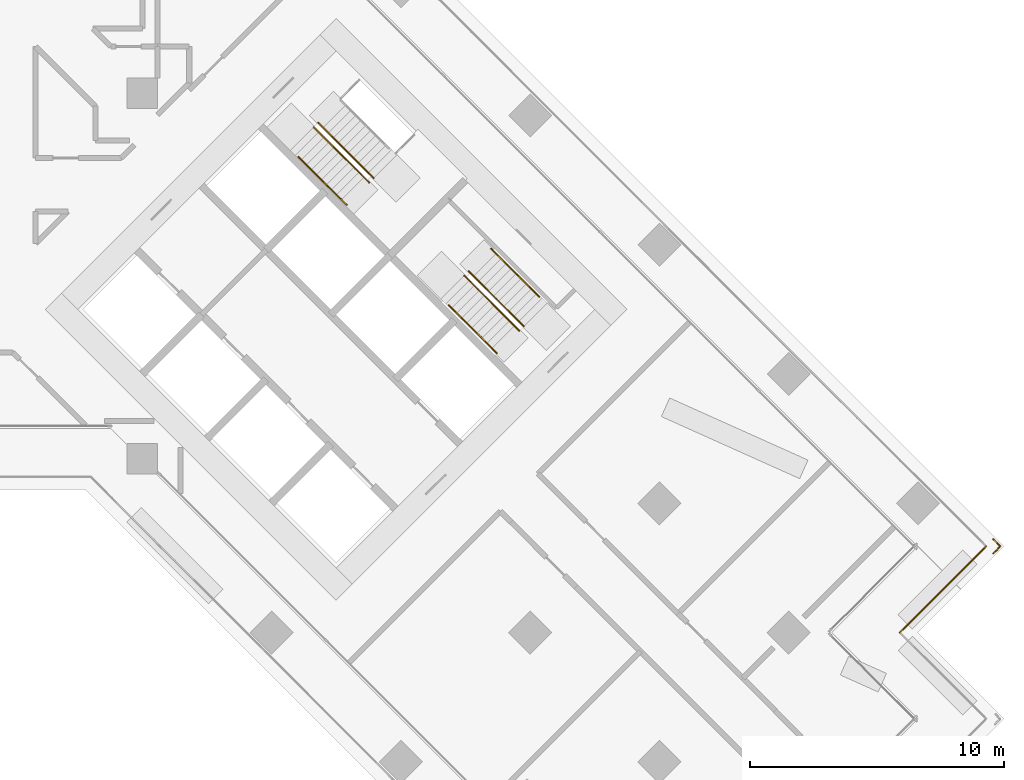
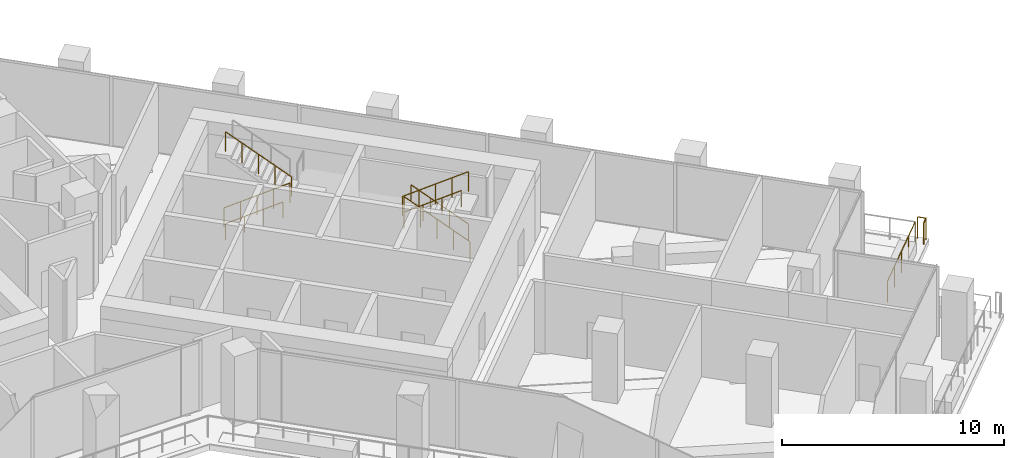
# One storey, part 22 of 24: 10 railings.
"""IFC4 building model written with IfcOpenShell, lengths in metres."""

from ifc_helpers import new_model, si_unit, direction, frame, origin, origin_2d, place, context, subcontext, project, spatial, circle, extrude, material, type_object, element, save


model = new_model("IFC4")

# Units and contexts
model_context = context("Model", 3, precision=1e-05, world=origin(), true_north=direction((0.0, 1.0)))
body_context = subcontext(model_context, "Body", "Model", "MODEL_VIEW")
ifc_project = project(units=[si_unit("LENGTHUNIT", "METRE"), si_unit("AREAUNIT", "SQUARE_METRE"), si_unit("VOLUMEUNIT", "CUBIC_METRE"), si_unit("PLANEANGLEUNIT", "RADIAN"), si_unit("MASSUNIT", "GRAM", prefix="KILO")], contexts=[model_context])

# Site, building, storey
site_placement = place(None, origin())
site = spatial("IfcSite", under=ifc_project, at=site_placement, CompositionType="ELEMENT")
building_placement = place(site_placement, origin())
building = spatial("IfcBuilding", under=site, at=building_placement, Name="Windrow Commons", CompositionType="ELEMENT")
storey_placement = place(building_placement, frame((0.0, 0.0, 77.0)))
storey = spatial("IfcBuildingStorey", under=building, at=storey_placement, Name="L20", CompositionType="ELEMENT", Elevation=77.0)

# Railings
ifc_material_1 = material(Name="Steel S355", Category="steel")
railing_type_1 = type_object("IfcRailingType", Name="Core stair guard 1100", PredefinedType="GUARDRAIL", material=ifc_material_1)
railing_1_placement = place(storey_placement, frame((85.9529, 56.2669, 0.175)))
element("IfcRailing", 1, at=railing_1_placement, inside=storey, type_object=railing_type_1, Name="L20 ST-B1 stair guard 1", PredefinedType="GUARDRAIL", context=body_context, shape_type="SweptSolid", body=[
    extrude(circle(Radius=0.024, at=origin_2d()), frame((0.0, 0.0, 1.076), z_axis=(0.5996262107, -0.5996262107, 0.5299969951), x_axis=(0.7071067812, 0.7071067812, 0.0)), (0.0, 0.0, 1.0), 3.6321),
    extrude(circle(Radius=0.021, at=origin_2d()), origin(), (0.0, 0.0, 1.0), 1.052),
    extrude(circle(Radius=0.021, at=origin_2d()), frame((0.5445, -0.5445, 0.4812)), (0.0, 0.0, 1.0), 1.052),
    extrude(circle(Radius=0.021, at=origin_2d()), frame((1.0889, -1.089, 0.9625)), (0.0, 0.0, 1.0), 1.052),
    extrude(circle(Radius=0.021, at=origin_2d()), frame((1.6334, -1.6334, 1.4437)), (0.0, 0.0, 1.0), 1.052),
    extrude(circle(Radius=0.021, at=origin_2d()), frame((2.1779, -2.1779, 1.925)), (0.0, 0.0, 1.0), 1.052),
])
for number, where, name in (
    (2, (88.3075, 54.2658, 2.275), "L20 ST-B1 stair guard 2"),
    (3, (94.2296, 48.4215, 0.175), "L20 ST-B2 stair guard 1"),
):
    element("IfcRailing", number, at=place(storey_placement, frame(where)), inside=storey, type_object=railing_type_1, Name=name, PredefinedType="GUARDRAIL", context=body_context, shape_type="SweptSolid", body=[
        extrude(circle(Radius=0.024, at=origin_2d()), frame((0.0, 0.0, 1.076), z_axis=(-0.5996262107, 0.5996262107, 0.5299969951), x_axis=(-0.7071067812, -0.7071067812, 0.0)), (0.0, 0.0, 1.0), 3.6321),
        extrude(circle(Radius=0.021, at=origin_2d()), origin(), (0.0, 0.0, 1.0), 1.052),
        extrude(circle(Radius=0.021, at=origin_2d()), frame((-0.5445, 0.5445, 0.4812)), (0.0, 0.0, 1.0), 1.052),
        extrude(circle(Radius=0.021, at=origin_2d()), frame((-1.089, 1.089, 0.9625)), (0.0, 0.0, 1.0), 1.052),
        extrude(circle(Radius=0.021, at=origin_2d()), frame((-1.6334, 1.6334, 1.4437)), (0.0, 0.0, 1.0), 1.052),
        extrude(circle(Radius=0.021, at=origin_2d()), frame((-2.1779, 2.1779, 1.925)), (0.0, 0.0, 1.0), 1.052),
    ])
railing_2_placement = place(storey_placement, frame((91.8749, 50.4226, 2.275)))
element("IfcRailing", 4, at=railing_2_placement, inside=storey, type_object=railing_type_1, Name="L20 ST-B2 stair guard 2", PredefinedType="GUARDRAIL", context=body_context, shape_type="SweptSolid", body=[
    extrude(circle(Radius=0.024, at=origin_2d()), frame((0.0, 0.0, 1.076), z_axis=(0.5996262107, -0.5996262107, 0.5299969951), x_axis=(0.7071067812, 0.7071067812, 0.0)), (0.0, 0.0, 1.0), 3.6321),
    extrude(circle(Radius=0.021, at=origin_2d()), origin(), (0.0, 0.0, 1.0), 1.052),
    extrude(circle(Radius=0.021, at=origin_2d()), frame((0.5445, -0.5445, 0.4812)), (0.0, 0.0, 1.0), 1.052),
    extrude(circle(Radius=0.021, at=origin_2d()), frame((1.089, -1.089, 0.9625)), (0.0, 0.0, 1.0), 1.052),
    extrude(circle(Radius=0.021, at=origin_2d()), frame((1.6334, -1.6334, 1.4437)), (0.0, 0.0, 1.0), 1.052),
    extrude(circle(Radius=0.021, at=origin_2d()), frame((2.1779, -2.1779, 1.925)), (0.0, 0.0, 1.0), 1.052),
])
ifc_material_2 = material(Name="Steel S355", Category="steel")
railing_type_2 = type_object("IfcRailingType", Name="Core stair handrail 900", PredefinedType="HANDRAIL", material=ifc_material_2)
railing_3_placement = place(storey_placement, frame((85.3518, 55.1001, 0.425)))
element("IfcRailing", 5, at=railing_3_placement, inside=storey, type_object=railing_type_2, Name="L20 ST-B1 stair handrail 1", PredefinedType="HANDRAIL", context=body_context, shape_type="SweptSolid", body=[
    extrude(circle(Radius=0.024, at=origin_2d()), frame((0.0, 0.0, 0.876), z_axis=(0.599641512, -0.5996098703, 0.5299981703), x_axis=(0.7070881243, 0.7071254376, 0.0)), (0.0, 0.0, 1.0), 3.1604),
    extrude(circle(Radius=0.021, at=origin_2d()), origin(), (0.0, 0.0, 1.0), 0.852),
    extrude(circle(Radius=0.021, at=origin_2d()), frame((0.6317, -0.6317, 0.5583)), (0.0, 0.0, 1.0), 0.852),
    extrude(circle(Radius=0.021, at=origin_2d()), frame((1.2634, -1.2633, 1.1167)), (0.0, 0.0, 1.0), 0.852),
    extrude(circle(Radius=0.021, at=origin_2d()), frame((1.8951, -1.895, 1.675)), (0.0, 0.0, 1.0), 0.852),
])
railing_4_placement = place(storey_placement, frame((94.8306, 49.5883, 0.425)))
element("IfcRailing", 6, at=railing_4_placement, inside=storey, type_object=railing_type_2, Name="L20 ST-B2 stair handrail 1", PredefinedType="HANDRAIL", context=body_context, shape_type="SweptSolid", body=[
    extrude(circle(Radius=0.024, at=origin_2d()), frame((0.0, 0.0, 0.876), z_axis=(-0.599641512, 0.5996098703, 0.5299981703), x_axis=(-0.7070881243, -0.7071254376, 0.0)), (0.0, 0.0, 1.0), 3.1604),
    extrude(circle(Radius=0.021, at=origin_2d()), origin(), (0.0, 0.0, 1.0), 0.852),
    extrude(circle(Radius=0.021, at=origin_2d()), frame((-0.6317, 0.6317, 0.5583)), (0.0, 0.0, 1.0), 0.852),
    extrude(circle(Radius=0.021, at=origin_2d()), frame((-1.2634, 1.2633, 1.1167)), (0.0, 0.0, 1.0), 0.852),
    extrude(circle(Radius=0.021, at=origin_2d()), frame((-1.8951, 1.895, 1.675)), (0.0, 0.0, 1.0), 0.852),
])
railing_5_placement = place(storey_placement, frame((91.2738, 49.2559, 2.525)))
element("IfcRailing", 7, at=railing_5_placement, inside=storey, type_object=railing_type_2, Name="L20 ST-B2 stair handrail 2", PredefinedType="HANDRAIL", context=body_context, shape_type="SweptSolid", body=[
    extrude(circle(Radius=0.024, at=origin_2d()), frame((0.0, 0.0, 0.876), z_axis=(0.599641512, -0.5996098703, 0.5299981703), x_axis=(0.7070881243, 0.7071254376, 0.0)), (0.0, 0.0, 1.0), 3.1604),
    extrude(circle(Radius=0.021, at=origin_2d()), origin(), (0.0, 0.0, 1.0), 0.852),
    extrude(circle(Radius=0.021, at=origin_2d()), frame((0.6317, -0.6317, 0.5583)), (0.0, 0.0, 1.0), 0.852),
    extrude(circle(Radius=0.021, at=origin_2d()), frame((1.2634, -1.2633, 1.1167)), (0.0, 0.0, 1.0), 0.852),
    extrude(circle(Radius=0.021, at=origin_2d()), frame((1.8951, -1.895, 1.675)), (0.0, 0.0, 1.0), 0.852),
])
ifc_material_3 = material(Name="Stainless steel S316 balustrade with toughened glass infill", Category="steel")
railing_type_3 = type_object("IfcRailingType", Name="Terrace guard 1200 podium", PredefinedType="BALUSTRADE", material=ifc_material_3)
railing_6_placement = place(storey_placement, frame((112.434, 39.7559, 0.05)))
element("IfcRailing", 8, at=railing_6_placement, inside=storey, type_object=railing_type_3, Name="Guard TR-L20-1.E11", PredefinedType="BALUSTRADE", context=body_context, shape_type="SweptSolid", body=[
    extrude(circle(Radius=0.025, at=origin_2d()), frame((0.0, 0.0, 1.175), z_axis=(-0.7071067812, -0.7071067812, 0.0), x_axis=(0.7071067812, -0.7071067812, 0.0)), (0.0, 0.0, 1.0), 4.8),
    extrude(circle(Radius=0.02, at=origin_2d()), origin(), (0.0, 0.0, 1.0), 1.15),
    extrude(circle(Radius=0.02, at=origin_2d()), frame((-0.8485, -0.8485, 0.0)), (0.0, 0.0, 1.0), 1.15),
    extrude(circle(Radius=0.02, at=origin_2d()), frame((-1.697, -1.697, 0.0)), (0.0, 0.0, 1.0), 1.15),
    extrude(circle(Radius=0.02, at=origin_2d()), frame((-2.5456, -2.5456, 0.0)), (0.0, 0.0, 1.0), 1.15),
    extrude(circle(Radius=0.02, at=origin_2d()), frame((-3.3941, -3.3941, 0.0)), (0.0, 0.0, 1.0), 1.15),
])
railing_7_placement = place(storey_placement, frame((112.7125, 40.0431, 0.05)))
element("IfcRailing", 9, at=railing_7_placement, inside=storey, type_object=railing_type_3, Name="Guard TR-L20-1.C18", PredefinedType="BALUSTRADE", context=body_context, shape_type="SweptSolid", body=[
    extrude(circle(Radius=0.025, at=origin_2d()), frame((0.0, 0.0, 1.175), z_axis=(0.7071067812, -0.7071067812, 0.0), x_axis=(0.7071067812, 0.7071067812, 0.0)), (0.0, 0.0, 1.0), 0.4002),
    extrude(circle(Radius=0.02, at=origin_2d()), origin(), (0.0, 0.0, 1.0), 1.15),
    extrude(circle(Radius=0.02, at=origin_2d()), frame((0.283, -0.283, 0.0)), (0.0, 0.0, 1.0), 1.15),
])
railing_8_placement = place(storey_placement, frame((112.9955, 39.7601, 0.05)))
element("IfcRailing", 10, at=railing_8_placement, inside=storey, type_object=railing_type_3, Name="Guard TR-L20-1.C19", PredefinedType="BALUSTRADE", context=body_context, shape_type="SweptSolid", body=[
    extrude(circle(Radius=0.025, at=origin_2d()), frame((0.0, 0.0, 1.175), z_axis=(-0.6963755133, -0.7176776048, 0.0), x_axis=(0.7176776048, -0.6963755133, 0.0)), (0.0, 0.0, 1.0), 0.3943),
    extrude(circle(Radius=0.02, at=origin_2d()), origin(), (0.0, 0.0, 1.0), 1.15),
    extrude(circle(Radius=0.02, at=origin_2d()), frame((-0.2746, -0.283, 0.0)), (0.0, 0.0, 1.0), 1.15),
])

save(model, "model.ifc")
